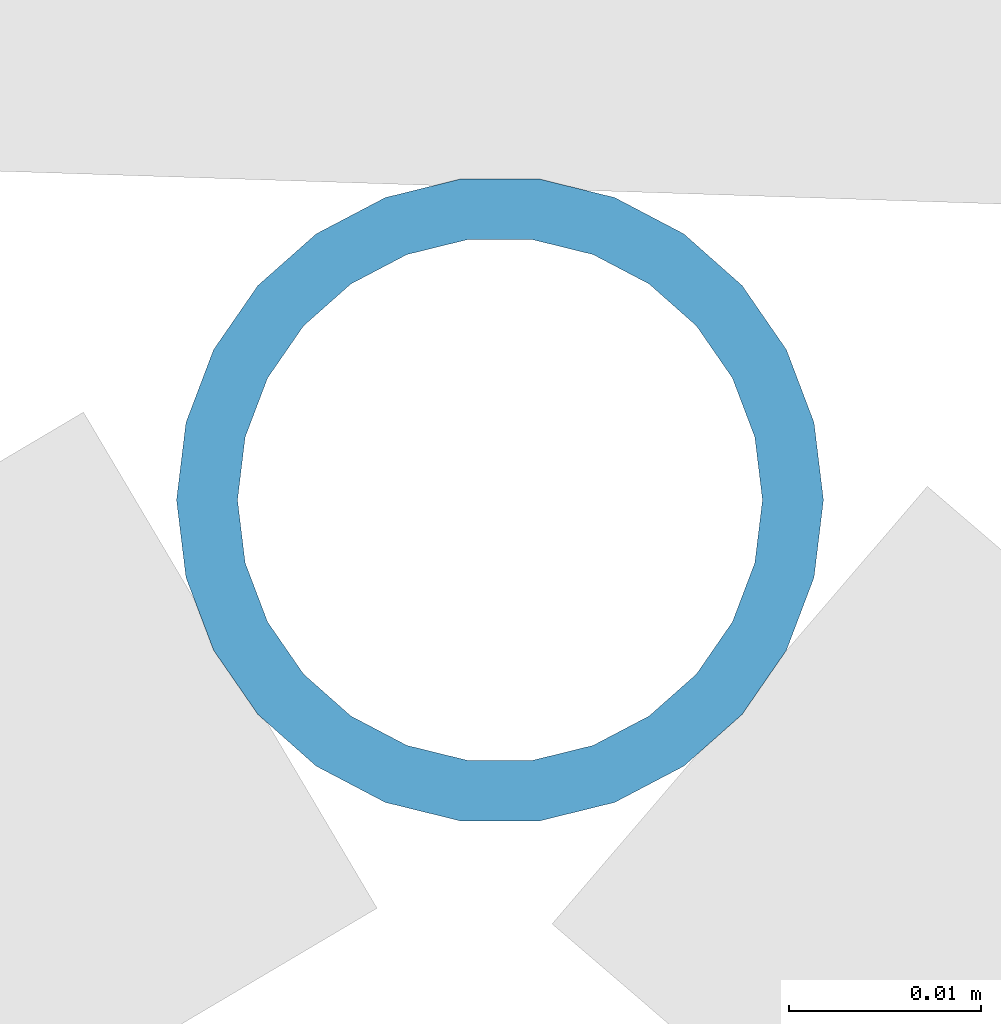
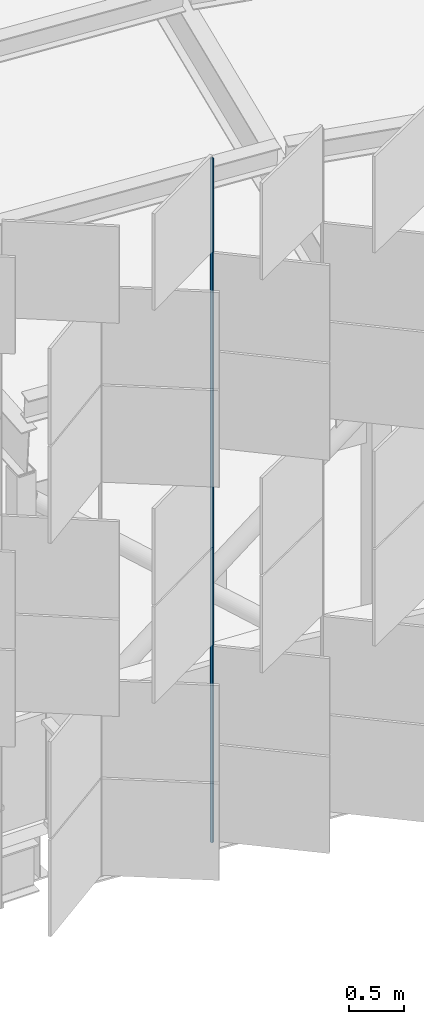
# One storey, part 238 of 483: 1 discrete accessory.
"""IFC4 building model written with IfcOpenShell, lengths in metres."""

from ifc_helpers import new_model, si_unit, direction, frame, origin, origin_2d, place, context, subcontext, project, spatial, hollow_circle, extrude, material, material_profile, profile_set, type_object, element, save


model = new_model("IFC4")

# Units and contexts
model_context = context("Model", 3, precision=1e-05, world=origin(), true_north=direction((0.0, 1.0)))
body_context = subcontext(model_context, "Body", "Model", "MODEL_VIEW")
ifc_project = project(units=[si_unit("LENGTHUNIT", "METRE"), si_unit("AREAUNIT", "SQUARE_METRE"), si_unit("VOLUMEUNIT", "CUBIC_METRE"), si_unit("PLANEANGLEUNIT", "RADIAN"), si_unit("MASSUNIT", "GRAM", prefix="KILO")], contexts=[model_context])

# Site, building, storey
site_placement = place(None, origin())
site = spatial("IfcSite", under=ifc_project, at=site_placement, CompositionType="ELEMENT")
building_placement = place(site_placement, origin())
building = spatial("IfcBuilding", under=site, at=building_placement, Name="Parallax Yard Mobility Hub", CompositionType="ELEMENT")
storey_placement = place(building_placement, frame((0.0, 0.0, 13.199951171875)))
storey = spatial("IfcBuildingStorey", under=building, at=storey_placement, Name="L04", CompositionType="ELEMENT", Elevation=13.199951171875)

# Discrete accessory
ifc_material = material(Name="Steel ASTM A500 Gr C, hot-dip galvanised", Category="steel")
ifc_material_profile = material_profile(ifc_material, hollow_circle(Radius=0.016845703125, WallThickness=0.003173828125, at=origin_2d()), Name="CHS 33.7x3.2")
ifc_profile_set = profile_set([ifc_material_profile], Name="Steel ASTM A500 Gr C, hot-dip galvanised")
discrete_accessory_type = type_object("IfcDiscreteAccessoryType", Name="Hinge post CHS 33.7x3.2", PredefinedType="BRACKET", material=ifc_profile_set)
discrete_accessory_placement = place(storey_placement, frame((173.634521484375, 111.46240234375, 0.0), z_axis=(0.0, 0.0, 1.0), x_axis=(1.0, 0.0, 0.0)))
element("IfcDiscreteAccessory", 1, at=discrete_accessory_placement, inside=storey, type_object=discrete_accessory_type, Name="Hinge post bay 18.2 level L04", PredefinedType="BRACKET", context=body_context, shape_type="SweptSolid", body=[
    extrude(hollow_circle(Radius=0.016845703125, WallThickness=0.003173828125, at=origin_2d()), origin(), (0.0, 0.0, 1.0), 7.650146484375),
])

save(model, "model.ifc")
